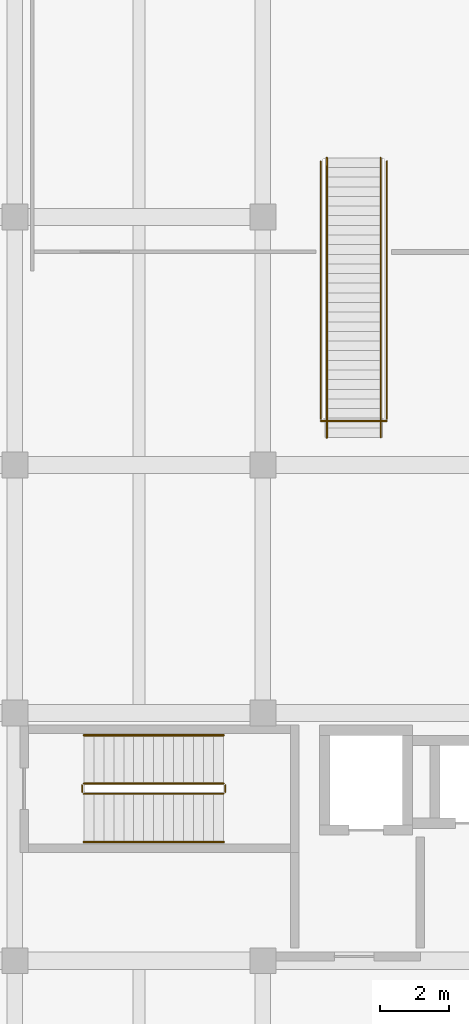
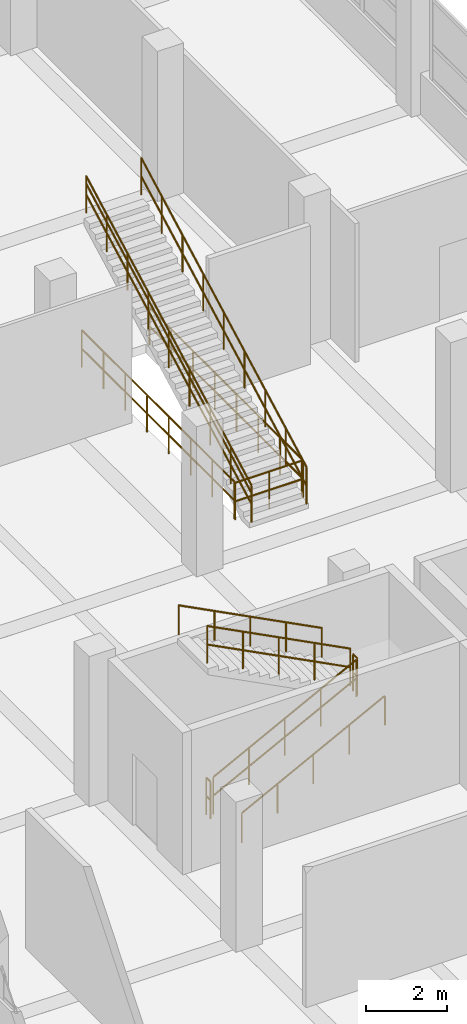
# One storey, part 139 of 141: 12 railings.
"""IFC4 building model written with IfcOpenShell, lengths in metres."""

from ifc_helpers import new_model, si_unit, direction, frame, origin, origin_2d, place, context, subcontext, project, spatial, circle, extrude, material, type_object, element, save


model = new_model("IFC4")

# Units and contexts
model_context = context("Model", 3, precision=1e-05, world=origin(), true_north=direction((0.0, 1.0)))
body_context = subcontext(model_context, "Body", "Model", "MODEL_VIEW")
ifc_project = project(units=[si_unit("LENGTHUNIT", "METRE"), si_unit("AREAUNIT", "SQUARE_METRE"), si_unit("VOLUMEUNIT", "CUBIC_METRE"), si_unit("PLANEANGLEUNIT", "RADIAN"), si_unit("MASSUNIT", "GRAM", prefix="KILO")], contexts=[model_context])

# Site, building, storey
site_placement = place(None, origin())
site = spatial("IfcSite", under=ifc_project, at=site_placement, CompositionType="ELEMENT")
building_placement = place(site_placement, origin())
building = spatial("IfcBuilding", under=site, at=building_placement, Name="Seraya Terrace Polytechnic", CompositionType="ELEMENT")
storey_placement = place(building_placement, frame((0.0, 0.0, 14.39990234375)))
storey = spatial("IfcBuildingStorey", under=building, at=storey_placement, Name="L03", CompositionType="ELEMENT", Elevation=14.39990234375)

# Railings
ifc_material = material(Name="Steel S355J2", Category="steel")
railing_type_1 = type_object("IfcRailingType", Name="GR-02", PredefinedType="GUARDRAIL", material=ifc_material)
railing_1_placement = place(storey_placement, frame((88.39990234375, 40.85009765625, 0.150146484375)))
element("IfcRailing", 1, at=railing_1_placement, inside=storey, type_object=railing_type_1, Name="L03 ST-02 stair guard 1", PredefinedType="GUARDRAIL", context=body_context, shape_type="SweptSolid", body=[
    extrude(circle(Radius=0.02392578125, at=origin_2d()), frame((0.0, 0.0, 1.10595703125), z_axis=(0.888233425583, 0.0, 0.459392404897), x_axis=(0.0, 1.0, 0.0)), (0.0, 0.0, 1.0), 4.571044921875),
    extrude(circle(Radius=0.02392578125, at=origin_2d()), frame((0.0, 0.0, 0.550048828125), z_axis=(0.888233425583, 0.0, 0.459392404897), x_axis=(0.0, 1.0, 0.0)), (0.0, 0.0, 1.0), 4.571044921875),
    extrude(circle(Radius=0.02099609375, at=origin_2d()), origin(), (0.0, 0.0, 1.0), 1.081787109375),
    extrude(circle(Radius=0.02099609375, at=origin_2d()), frame((1.01513671875, 0.0, 0.52490234375)), (0.0, 0.0, 1.0), 1.081787109375),
    extrude(circle(Radius=0.02099609375, at=origin_2d()), frame((2.030029296875, 0.0, 1.0498046875)), (0.0, 0.0, 1.0), 1.081787109375),
    extrude(circle(Radius=0.02099609375, at=origin_2d()), frame((3.044921875, 0.0, 1.574951171875)), (0.0, 0.0, 1.0), 1.081787109375),
    extrude(circle(Radius=0.02099609375, at=origin_2d()), frame((4.06005859375, 0.0, 2.099853515625)), (0.0, 0.0, 1.0), 1.081787109375),
])
railing_2_placement = place(storey_placement, frame((92.510009765625, 40.89990234375, 2.25)))
element("IfcRailing", 2, at=railing_2_placement, inside=storey, type_object=railing_type_1, Name="L03 ST-02 stair guard 2", PredefinedType="GUARDRAIL", context=body_context, shape_type="SweptSolid", body=[
    extrude(circle(Radius=0.02392578125, at=origin_2d()), frame((0.0, 0.0, 1.10595703125), z_axis=(0.0, 1.0, 0.0), x_axis=(-1.0, 0.0, 0.0)), (0.0, 0.0, 1.0), 0.2001953125),
    extrude(circle(Radius=0.02392578125, at=origin_2d()), frame((0.0, 0.0, 0.550048828125), z_axis=(0.0, 1.0, 0.0), x_axis=(-1.0, 0.0, 0.0)), (0.0, 0.0, 1.0), 0.2001953125),
    extrude(circle(Radius=0.02099609375, at=origin_2d()), origin(), (0.0, 0.0, 1.0), 1.081787109375),
    extrude(circle(Radius=0.02099609375, at=origin_2d()), frame((0.0, 0.2001953125, 0.0)), (0.0, 0.0, 1.0), 1.081787109375),
])
railing_3_placement = place(storey_placement, frame((92.4599609375, 41.14990234375, 2.400146484375)))
element("IfcRailing", 3, at=railing_3_placement, inside=storey, type_object=railing_type_1, Name="L03 ST-02 stair guard 3", PredefinedType="GUARDRAIL", context=body_context, shape_type="SweptSolid", body=[
    extrude(circle(Radius=0.02392578125, at=origin_2d()), frame((0.0, 0.0, 1.10595703125), z_axis=(-0.888233425583, 0.0, 0.459392404897), x_axis=(0.0, -1.0, 0.0)), (0.0, 0.0, 1.0), 4.571044921875),
    extrude(circle(Radius=0.02392578125, at=origin_2d()), frame((0.0, 0.0, 0.550048828125), z_axis=(-0.888233425583, 0.0, 0.459392404897), x_axis=(0.0, -1.0, 0.0)), (0.0, 0.0, 1.0), 4.571044921875),
    extrude(circle(Radius=0.02099609375, at=origin_2d()), origin(), (0.0, 0.0, 1.0), 1.081787109375),
    extrude(circle(Radius=0.02099609375, at=origin_2d()), frame((-1.01513671875, 0.0, 0.52490234375)), (0.0, 0.0, 1.0), 1.081787109375),
    extrude(circle(Radius=0.02099609375, at=origin_2d()), frame((-2.030029296875, 0.0, 1.0498046875)), (0.0, 0.0, 1.0), 1.081787109375),
    extrude(circle(Radius=0.02099609375, at=origin_2d()), frame((-3.044921875, 0.0, 1.574951171875)), (0.0, 0.0, 1.0), 1.081787109375),
    extrude(circle(Radius=0.02099609375, at=origin_2d()), frame((-4.06005859375, 0.0, 2.099853515625)), (0.0, 0.0, 1.0), 1.081787109375),
])
railing_4_placement = place(storey_placement, frame((88.35009765625, 40.89990234375, 0.0)))
element("IfcRailing", 4, at=railing_4_placement, inside=storey, type_object=railing_type_1, Name="L03 ST-02 stair guard 4", PredefinedType="GUARDRAIL", context=body_context, shape_type="SweptSolid", body=[
    extrude(circle(Radius=0.02392578125, at=origin_2d()), frame((0.0, 0.0, 1.10595703125), z_axis=(0.0, 1.0, 0.0), x_axis=(-1.0, 0.0, 0.0)), (0.0, 0.0, 1.0), 0.2001953125),
    extrude(circle(Radius=0.02392578125, at=origin_2d()), frame((0.0, 0.0, 0.550048828125), z_axis=(0.0, 1.0, 0.0), x_axis=(-1.0, 0.0, 0.0)), (0.0, 0.0, 1.0), 0.2001953125),
    extrude(circle(Radius=0.02099609375, at=origin_2d()), origin(), (0.0, 0.0, 1.0), 1.081787109375),
    extrude(circle(Radius=0.02099609375, at=origin_2d()), frame((0.0, 0.2001953125, 0.0)), (0.0, 0.0, 1.0), 1.081787109375),
])
railing_5_placement = place(storey_placement, frame((95.280029296875, 51.679931640625, 0.0)))
element("IfcRailing", 5, at=railing_5_placement, inside=storey, type_object=railing_type_1, Name="ST-16 top opening guard L03.1", PredefinedType="GUARDRAIL", context=body_context, shape_type="SweptSolid", body=[
    extrude(circle(Radius=0.02392578125, at=origin_2d()), frame((0.0, 0.0, 1.10595703125), z_axis=(1.0, 0.0, 0.0), x_axis=(0.0, 1.0, 0.0)), (0.0, 0.0, 1.0), 1.919921875),
    extrude(circle(Radius=0.02392578125, at=origin_2d()), frame((0.0, 0.0, 0.550048828125), z_axis=(1.0, 0.0, 0.0), x_axis=(0.0, 1.0, 0.0)), (0.0, 0.0, 1.0), 1.919921875),
    extrude(circle(Radius=0.02099609375, at=origin_2d()), origin(), (0.0, 0.0, 1.0), 1.081787109375),
    extrude(circle(Radius=0.02099609375, at=origin_2d()), frame((0.9599609375, 0.0, 0.0)), (0.0, 0.0, 1.0), 1.081787109375),
    extrude(circle(Radius=0.02099609375, at=origin_2d()), frame((1.919921875, 0.0, 0.0)), (0.0, 0.0, 1.0), 1.081787109375),
])
for number, where, name in (
    (6, (95.280029296875, 51.739990234375, 0.0), "ST-16 top opening guard L03.2"),
    (7, (97.199951171875, 51.739990234375, 0.0), "ST-16 top opening guard L03.3"),
):
    element("IfcRailing", number, at=place(storey_placement, frame(where)), inside=storey, type_object=railing_type_1, Name=name, PredefinedType="GUARDRAIL", context=body_context, shape_type="SweptSolid", body=[
        extrude(circle(Radius=0.02392578125, at=origin_2d()), frame((0.0, 0.0, 1.10595703125), z_axis=(0.0, 1.0, 0.0), x_axis=(-1.0, 0.0, 0.0)), (0.0, 0.0, 1.0), 7.47998046875),
        extrude(circle(Radius=0.02392578125, at=origin_2d()), frame((0.0, 0.0, 0.550048828125), z_axis=(0.0, 1.0, 0.0), x_axis=(-1.0, 0.0, 0.0)), (0.0, 0.0, 1.0), 7.47998046875),
        extrude(circle(Radius=0.02099609375, at=origin_2d()), origin(), (0.0, 0.0, 1.0), 1.081787109375),
        extrude(circle(Radius=0.02099609375, at=origin_2d()), frame((0.0, 1.068603515625, 0.0)), (0.0, 0.0, 1.0), 1.081787109375),
        extrude(circle(Radius=0.02099609375, at=origin_2d()), frame((0.0, 2.13720703125, 0.0)), (0.0, 0.0, 1.0), 1.081787109375),
        extrude(circle(Radius=0.02099609375, at=origin_2d()), frame((0.0, 3.205810546875, 0.0)), (0.0, 0.0, 1.0), 1.081787109375),
        extrude(circle(Radius=0.02099609375, at=origin_2d()), frame((0.0, 4.274169921875, 0.0)), (0.0, 0.0, 1.0), 1.081787109375),
        extrude(circle(Radius=0.02099609375, at=origin_2d()), frame((0.0, 5.3427734375, 0.0)), (0.0, 0.0, 1.0), 1.081787109375),
        extrude(circle(Radius=0.02099609375, at=origin_2d()), frame((0.0, 6.411376953125, 0.0)), (0.0, 0.0, 1.0), 1.081787109375),
        extrude(circle(Radius=0.02099609375, at=origin_2d()), frame((0.0, 7.47998046875, 0.0)), (0.0, 0.0, 1.0), 1.081787109375),
    ])
for number, where, name in (
    (8, (97.02001953125, 51.199951171875, 0.150146484375), "ST-16 flight guard L03"),
    (9, (95.4599609375, 51.199951171875, 0.150146484375), "ST-16 flight outer guard L03"),
):
    element("IfcRailing", number, at=place(storey_placement, frame(where)), inside=storey, type_object=railing_type_1, Name=name, PredefinedType="GUARDRAIL", context=body_context, shape_type="SweptSolid", body=[
        extrude(circle(Radius=0.02392578125, at=origin_2d()), frame((0.0, 0.0, 1.10595703125), z_axis=(0.0, 0.881489425824, 0.472203761272), x_axis=(-1.0, 0.0, 0.0)), (0.0, 0.0, 1.0), 9.2119140625),
        extrude(circle(Radius=0.02392578125, at=origin_2d()), frame((0.0, 0.0, 0.550048828125), z_axis=(0.0, 0.881489425824, 0.472203761272), x_axis=(-1.0, 0.0, 0.0)), (0.0, 0.0, 1.0), 9.2119140625),
        extrude(circle(Radius=0.02099609375, at=origin_2d()), origin(), (0.0, 0.0, 1.0), 1.081787109375),
        extrude(circle(Radius=0.02099609375, at=origin_2d()), frame((0.0, 1.01513671875, 0.543701171875)), (0.0, 0.0, 1.0), 1.081787109375),
        extrude(circle(Radius=0.02099609375, at=origin_2d()), frame((0.0, 2.030029296875, 1.08740234375)), (0.0, 0.0, 1.0), 1.081787109375),
        extrude(circle(Radius=0.02099609375, at=origin_2d()), frame((0.0, 3.044921875, 1.631103515625)), (0.0, 0.0, 1.0), 1.081787109375),
        extrude(circle(Radius=0.02099609375, at=origin_2d()), frame((0.0, 4.06005859375, 2.1748046875)), (0.0, 0.0, 1.0), 1.081787109375),
        extrude(circle(Radius=0.02099609375, at=origin_2d()), frame((0.0, 5.0751953125, 2.71875)), (0.0, 0.0, 1.0), 1.081787109375),
        extrude(circle(Radius=0.02099609375, at=origin_2d()), frame((0.0, 6.090087890625, 3.262451171875)), (0.0, 0.0, 1.0), 1.081787109375),
        extrude(circle(Radius=0.02099609375, at=origin_2d()), frame((0.0, 7.10498046875, 3.80615234375)), (0.0, 0.0, 1.0), 1.081787109375),
        extrude(circle(Radius=0.02099609375, at=origin_2d()), frame((0.0, 8.1201171875, 4.349853515625)), (0.0, 0.0, 1.0), 1.081787109375),
    ])
railing_type_2 = type_object("IfcRailingType", Name="HR-01", PredefinedType="HANDRAIL", material=ifc_material)
railing_6_placement = place(storey_placement, frame((88.39990234375, 39.449951171875, 0.150146484375)))
element("IfcRailing", 10, at=railing_6_placement, inside=storey, type_object=railing_type_2, Name="L03 ST-02 stair handrail 1", PredefinedType="HANDRAIL", context=body_context, shape_type="SweptSolid", body=[
    extrude(circle(Radius=0.02392578125, at=origin_2d()), frame((0.0, 0.0, 0.8759765625), z_axis=(0.888233425583, 0.0, 0.459392404897), x_axis=(0.0, 1.0, 0.0)), (0.0, 0.0, 1.0), 4.571044921875),
    extrude(circle(Radius=0.02099609375, at=origin_2d()), origin(), (0.0, 0.0, 1.0), 0.851806640625),
    extrude(circle(Radius=0.02099609375, at=origin_2d()), frame((1.01513671875, 0.0, 0.52490234375)), (0.0, 0.0, 1.0), 0.851806640625),
    extrude(circle(Radius=0.02099609375, at=origin_2d()), frame((2.030029296875, 0.0, 1.0498046875)), (0.0, 0.0, 1.0), 0.851806640625),
    extrude(circle(Radius=0.02099609375, at=origin_2d()), frame((3.044921875, 0.0, 1.574951171875)), (0.0, 0.0, 1.0), 0.851806640625),
    extrude(circle(Radius=0.02099609375, at=origin_2d()), frame((4.06005859375, 0.0, 2.099853515625)), (0.0, 0.0, 1.0), 0.851806640625),
])
railing_7_placement = place(storey_placement, frame((92.4599609375, 42.550048828125, 2.400146484375)))
element("IfcRailing", 11, at=railing_7_placement, inside=storey, type_object=railing_type_2, Name="L03 ST-02 stair handrail 2", PredefinedType="HANDRAIL", context=body_context, shape_type="SweptSolid", body=[
    extrude(circle(Radius=0.02392578125, at=origin_2d()), frame((0.0, 0.0, 0.8759765625), z_axis=(-0.888233425583, 0.0, 0.459392404897), x_axis=(0.0, -1.0, 0.0)), (0.0, 0.0, 1.0), 4.571044921875),
    extrude(circle(Radius=0.02099609375, at=origin_2d()), origin(), (0.0, 0.0, 1.0), 0.851806640625),
    extrude(circle(Radius=0.02099609375, at=origin_2d()), frame((-1.01513671875, 0.0, 0.52490234375)), (0.0, 0.0, 1.0), 0.851806640625),
    extrude(circle(Radius=0.02099609375, at=origin_2d()), frame((-2.030029296875, 0.0, 1.0498046875)), (0.0, 0.0, 1.0), 0.851806640625),
    extrude(circle(Radius=0.02099609375, at=origin_2d()), frame((-3.044921875, 0.0, 1.574951171875)), (0.0, 0.0, 1.0), 0.851806640625),
    extrude(circle(Radius=0.02099609375, at=origin_2d()), frame((-4.06005859375, 0.0, 2.099853515625)), (0.0, 0.0, 1.0), 0.851806640625),
])
railing_8_placement = place(storey_placement, frame((95.4599609375, 51.199951171875, 0.150146484375)))
element("IfcRailing", 12, at=railing_8_placement, inside=storey, type_object=railing_type_2, Name="ST-16 handrail L03", PredefinedType="HANDRAIL", context=body_context, shape_type="SweptSolid", body=[
    extrude(circle(Radius=0.02392578125, at=origin_2d()), frame((0.0, 0.0, 0.8759765625), z_axis=(0.0, 0.881489425824, 0.472203761272), x_axis=(-1.0, 0.0, 0.0)), (0.0, 0.0, 1.0), 9.2119140625),
    extrude(circle(Radius=0.02099609375, at=origin_2d()), origin(), (0.0, 0.0, 1.0), 0.851806640625),
    extrude(circle(Radius=0.02099609375, at=origin_2d()), frame((0.0, 1.01513671875, 0.543701171875)), (0.0, 0.0, 1.0), 0.851806640625),
    extrude(circle(Radius=0.02099609375, at=origin_2d()), frame((0.0, 2.030029296875, 1.08740234375)), (0.0, 0.0, 1.0), 0.851806640625),
    extrude(circle(Radius=0.02099609375, at=origin_2d()), frame((0.0, 3.044921875, 1.631103515625)), (0.0, 0.0, 1.0), 0.851806640625),
    extrude(circle(Radius=0.02099609375, at=origin_2d()), frame((0.0, 4.06005859375, 2.1748046875)), (0.0, 0.0, 1.0), 0.851806640625),
    extrude(circle(Radius=0.02099609375, at=origin_2d()), frame((0.0, 5.0751953125, 2.71875)), (0.0, 0.0, 1.0), 0.851806640625),
    extrude(circle(Radius=0.02099609375, at=origin_2d()), frame((0.0, 6.090087890625, 3.262451171875)), (0.0, 0.0, 1.0), 0.851806640625),
    extrude(circle(Radius=0.02099609375, at=origin_2d()), frame((0.0, 7.10498046875, 3.80615234375)), (0.0, 0.0, 1.0), 0.851806640625),
    extrude(circle(Radius=0.02099609375, at=origin_2d()), frame((0.0, 8.1201171875, 4.349853515625)), (0.0, 0.0, 1.0), 0.851806640625),
])

save(model, "model.ifc")
